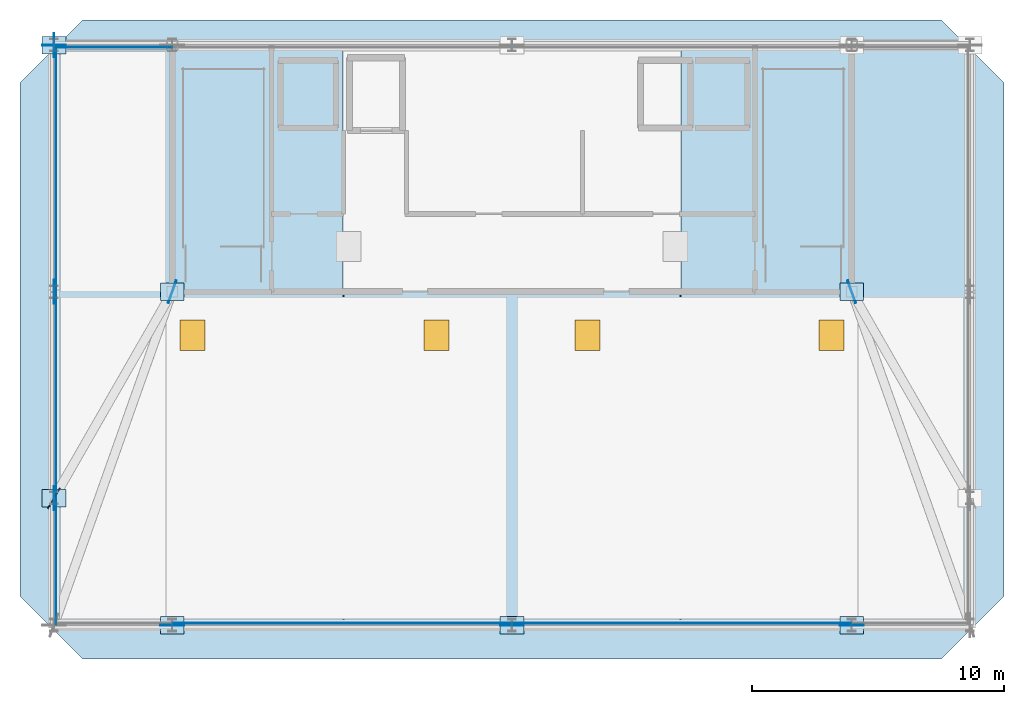
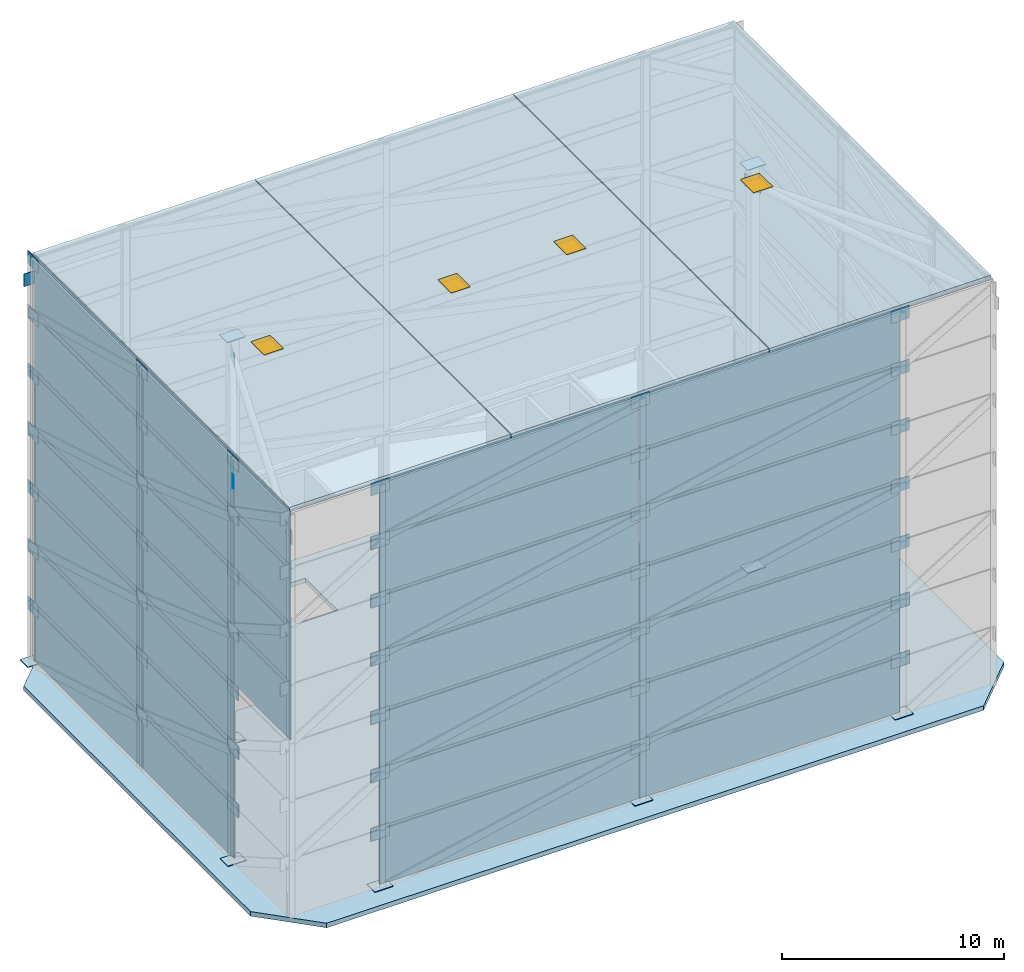
# One storey, part 4 of 8: 92 plates, 4 doors, 4 slabs, 4 openings.
"""IFC4 building model written with IfcOpenShell, lengths in metres."""

from ifc_helpers import new_model, si_unit, direction, frame, origin, origin_2d, place, context, subcontext, project, spatial, polyline, rectangle, outline, extrude, material, layer, layer_set, type_object, element, fill, save


model = new_model("IFC4")

# Units and contexts
model_context = context("Model", 3, precision=1e-05, world=origin(), true_north=direction((0.0, 1.0)))
body_context = subcontext(model_context, "Body", "Model", "MODEL_VIEW")
ifc_project = project(units=[si_unit("LENGTHUNIT", "METRE"), si_unit("AREAUNIT", "SQUARE_METRE"), si_unit("VOLUMEUNIT", "CUBIC_METRE"), si_unit("PLANEANGLEUNIT", "RADIAN"), si_unit("MASSUNIT", "GRAM", prefix="KILO")], contexts=[model_context])

# Site, building, storey
site_placement = place(None, origin())
site = spatial("IfcSite", under=ifc_project, at=site_placement, CompositionType="ELEMENT")
building_placement = place(site_placement, origin())
building = spatial("IfcBuilding", under=site, at=building_placement, Name="Haevon Station Towers", CompositionType="ELEMENT")
storey_placement = place(building_placement, frame((0.0, 0.0, 270.0)))
storey = spatial("IfcBuildingStorey", under=building, at=storey_placement, Name="Roof", CompositionType="ELEMENT", Elevation=270.0)

# Plates
ifc_material_1 = material(Name="Anodised aluminium 6063-T6", Category="aluminium")
ifc_layer_1 = layer(ifc_material_1, 0.028076171875)
ifc_layer_set_1 = layer_set([ifc_layer_1], Name="Anodised aluminium 6063-T6")
plate_type_1 = type_object("IfcPlateType", Name="PL-CRNSCR", PredefinedType="USERDEFINED", material=ifc_layer_set_1)
for number, where, z_axis, x_axis, name in (
    (1, (30.75, 25.030029296875, 0.01025390625), (0.0, 0.0, 1.0), (1.0, 0.0, 0.0), "Crown Perforated Acoustic Screen Plate T1-02"),
    (2, (44.25, 25.030029296875, 0.01025390625), (0.0, 0.0, 1.0), (1.0, 0.0, 0.0), "Crown Perforated Acoustic Screen Plate T1-03"),
):
    element("IfcPlate", number, at=place(storey_placement, frame(where, z_axis=z_axis, x_axis=x_axis)), inside=storey, type_object=plate_type_1, Name=name, ObjectType="FLANGE_PLATE", PredefinedType="USERDEFINED", context=body_context, shape_type="SweptSolid", body=[
        extrude(rectangle(XDim=13.47998046875, YDim=0.028076171875, at=origin_2d()), origin(), (0.0, 0.0, 1.0), 3.179931640625),
    ])
plate_1_placement = place(storey_placement, frame((21.64990234375, 47.919921875, 0.01025390625), z_axis=(0.0, 0.0, 1.0), x_axis=(-1.0, 0.0, 0.0)))
element("IfcPlate", 3, at=plate_1_placement, inside=storey, type_object=plate_type_1, Name="Crown Perforated Acoustic Screen Plate T1-11", ObjectType="FLANGE_PLATE", PredefinedType="USERDEFINED", context=body_context, shape_type="SweptSolid", body=[
    extrude(rectangle(XDim=4.679931640625, YDim=0.028076171875, at=origin_2d()), origin(), (0.0, 0.0, 1.0), 3.179931640625),
])
plate_2_placement = place(storey_placement, frame((19.3798828125, 43.10009765625, 0.01025390625), z_axis=(0.0, 0.0, 1.0), x_axis=(0.0, -1.0, 0.0)))
element("IfcPlate", 4, at=plate_2_placement, inside=storey, type_object=plate_type_1, Name="Crown Perforated Acoustic Screen Plate T1-12", ObjectType="FLANGE_PLATE", PredefinedType="USERDEFINED", context=body_context, shape_type="SweptSolid", body=[
    extrude(rectangle(XDim=9.780029296875, YDim=0.028076171875, at=origin_2d()), origin(), (0.0, 0.0, 1.0), 3.179931640625),
])
plate_3_placement = place(storey_placement, frame((19.3798828125, 34.10009765625, 0.01025390625), z_axis=(0.0, 0.0, 1.0), x_axis=(0.0, -1.0, 0.0)))
element("IfcPlate", 5, at=plate_3_placement, inside=storey, type_object=plate_type_1, Name="Crown Perforated Acoustic Screen Plate T1-13", ObjectType="FLANGE_PLATE", PredefinedType="USERDEFINED", context=body_context, shape_type="SweptSolid", body=[
    extrude(rectangle(XDim=8.179931640625, YDim=0.028076171875, at=origin_2d()), origin(), (0.0, 0.0, 1.0), 3.179931640625),
])
for number, where, z_axis, x_axis, name in (
    (6, (30.75, 25.030029296875, 3.2099609375), (0.0, 0.0, 1.0), (1.0, 0.0, 0.0), "Crown Perforated Acoustic Screen Plate T2-02"),
    (7, (44.25, 25.030029296875, 3.2099609375), (0.0, 0.0, 1.0), (1.0, 0.0, 0.0), "Crown Perforated Acoustic Screen Plate T2-03"),
):
    element("IfcPlate", number, at=place(storey_placement, frame(where, z_axis=z_axis, x_axis=x_axis)), inside=storey, type_object=plate_type_1, Name=name, ObjectType="FLANGE_PLATE", PredefinedType="USERDEFINED", context=body_context, shape_type="SweptSolid", body=[
        extrude(rectangle(XDim=13.47998046875, YDim=0.028076171875, at=origin_2d()), origin(), (0.0, 0.0, 1.0), 3.179931640625),
    ])
plate_4_placement = place(storey_placement, frame((21.64990234375, 47.919921875, 3.2099609375), z_axis=(0.0, 0.0, 1.0), x_axis=(-1.0, 0.0, 0.0)))
element("IfcPlate", 8, at=plate_4_placement, inside=storey, type_object=plate_type_1, Name="Crown Perforated Acoustic Screen Plate T2-11", ObjectType="FLANGE_PLATE", PredefinedType="USERDEFINED", context=body_context, shape_type="SweptSolid", body=[
    extrude(rectangle(XDim=4.679931640625, YDim=0.028076171875, at=origin_2d()), origin(), (0.0, 0.0, 1.0), 3.179931640625),
])
plate_5_placement = place(storey_placement, frame((19.3798828125, 43.10009765625, 3.2099609375), z_axis=(0.0, 0.0, 1.0), x_axis=(0.0, -1.0, 0.0)))
element("IfcPlate", 9, at=plate_5_placement, inside=storey, type_object=plate_type_1, Name="Crown Perforated Acoustic Screen Plate T2-12", ObjectType="FLANGE_PLATE", PredefinedType="USERDEFINED", context=body_context, shape_type="SweptSolid", body=[
    extrude(rectangle(XDim=9.780029296875, YDim=0.028076171875, at=origin_2d()), origin(), (0.0, 0.0, 1.0), 3.179931640625),
])
plate_6_placement = place(storey_placement, frame((19.3798828125, 34.10009765625, 3.2099609375), z_axis=(0.0, 0.0, 1.0), x_axis=(0.0, -1.0, 0.0)))
element("IfcPlate", 10, at=plate_6_placement, inside=storey, type_object=plate_type_1, Name="Crown Perforated Acoustic Screen Plate T2-13", ObjectType="FLANGE_PLATE", PredefinedType="USERDEFINED", context=body_context, shape_type="SweptSolid", body=[
    extrude(rectangle(XDim=8.179931640625, YDim=0.028076171875, at=origin_2d()), origin(), (0.0, 0.0, 1.0), 3.179931640625),
])
for number, where, z_axis, x_axis, name in (
    (11, (30.75, 25.030029296875, 6.41015625), (0.0, 0.0, 1.0), (1.0, 0.0, 0.0), "Crown Perforated Acoustic Screen Plate T3-02"),
    (12, (44.25, 25.030029296875, 6.41015625), (0.0, 0.0, 1.0), (1.0, 0.0, 0.0), "Crown Perforated Acoustic Screen Plate T3-03"),
):
    element("IfcPlate", number, at=place(storey_placement, frame(where, z_axis=z_axis, x_axis=x_axis)), inside=storey, type_object=plate_type_1, Name=name, ObjectType="FLANGE_PLATE", PredefinedType="USERDEFINED", context=body_context, shape_type="SweptSolid", body=[
        extrude(rectangle(XDim=13.47998046875, YDim=0.028076171875, at=origin_2d()), origin(), (0.0, 0.0, 1.0), 3.179931640625),
    ])
plate_7_placement = place(storey_placement, frame((21.64990234375, 47.919921875, 6.41015625), z_axis=(0.0, 0.0, 1.0), x_axis=(-1.0, 0.0, 0.0)))
element("IfcPlate", 13, at=plate_7_placement, inside=storey, type_object=plate_type_1, Name="Crown Perforated Acoustic Screen Plate T3-11", ObjectType="FLANGE_PLATE", PredefinedType="USERDEFINED", context=body_context, shape_type="SweptSolid", body=[
    extrude(rectangle(XDim=4.679931640625, YDim=0.028076171875, at=origin_2d()), origin(), (0.0, 0.0, 1.0), 3.179931640625),
])
plate_8_placement = place(storey_placement, frame((19.3798828125, 43.10009765625, 6.41015625), z_axis=(0.0, 0.0, 1.0), x_axis=(0.0, -1.0, 0.0)))
element("IfcPlate", 14, at=plate_8_placement, inside=storey, type_object=plate_type_1, Name="Crown Perforated Acoustic Screen Plate T3-12", ObjectType="FLANGE_PLATE", PredefinedType="USERDEFINED", context=body_context, shape_type="SweptSolid", body=[
    extrude(rectangle(XDim=9.780029296875, YDim=0.028076171875, at=origin_2d()), origin(), (0.0, 0.0, 1.0), 3.179931640625),
])
plate_9_placement = place(storey_placement, frame((19.3798828125, 34.10009765625, 6.41015625), z_axis=(0.0, 0.0, 1.0), x_axis=(0.0, -1.0, 0.0)))
element("IfcPlate", 15, at=plate_9_placement, inside=storey, type_object=plate_type_1, Name="Crown Perforated Acoustic Screen Plate T3-13", ObjectType="FLANGE_PLATE", PredefinedType="USERDEFINED", context=body_context, shape_type="SweptSolid", body=[
    extrude(rectangle(XDim=8.179931640625, YDim=0.028076171875, at=origin_2d()), origin(), (0.0, 0.0, 1.0), 3.179931640625),
])
for number, where, z_axis, x_axis, name in (
    (16, (30.75, 25.030029296875, 9.60986328125), (0.0, 0.0, 1.0), (1.0, 0.0, 0.0), "Crown Perforated Acoustic Screen Plate T4-02"),
    (17, (44.25, 25.030029296875, 9.60986328125), (0.0, 0.0, 1.0), (1.0, 0.0, 0.0), "Crown Perforated Acoustic Screen Plate T4-03"),
):
    element("IfcPlate", number, at=place(storey_placement, frame(where, z_axis=z_axis, x_axis=x_axis)), inside=storey, type_object=plate_type_1, Name=name, ObjectType="FLANGE_PLATE", PredefinedType="USERDEFINED", context=body_context, shape_type="SweptSolid", body=[
        extrude(rectangle(XDim=13.47998046875, YDim=0.028076171875, at=origin_2d()), origin(), (0.0, 0.0, 1.0), 3.179931640625),
    ])
plate_10_placement = place(storey_placement, frame((21.64990234375, 47.919921875, 9.60986328125), z_axis=(0.0, 0.0, 1.0), x_axis=(-1.0, 0.0, 0.0)))
element("IfcPlate", 18, at=plate_10_placement, inside=storey, type_object=plate_type_1, Name="Crown Perforated Acoustic Screen Plate T4-11", ObjectType="FLANGE_PLATE", PredefinedType="USERDEFINED", context=body_context, shape_type="SweptSolid", body=[
    extrude(rectangle(XDim=4.679931640625, YDim=0.028076171875, at=origin_2d()), origin(), (0.0, 0.0, 1.0), 3.179931640625),
])
plate_11_placement = place(storey_placement, frame((19.3798828125, 43.10009765625, 9.60986328125), z_axis=(0.0, 0.0, 1.0), x_axis=(0.0, -1.0, 0.0)))
element("IfcPlate", 19, at=plate_11_placement, inside=storey, type_object=plate_type_1, Name="Crown Perforated Acoustic Screen Plate T4-12", ObjectType="FLANGE_PLATE", PredefinedType="USERDEFINED", context=body_context, shape_type="SweptSolid", body=[
    extrude(rectangle(XDim=9.780029296875, YDim=0.028076171875, at=origin_2d()), origin(), (0.0, 0.0, 1.0), 3.179931640625),
])
plate_12_placement = place(storey_placement, frame((19.3798828125, 34.10009765625, 9.60986328125), z_axis=(0.0, 0.0, 1.0), x_axis=(0.0, -1.0, 0.0)))
element("IfcPlate", 20, at=plate_12_placement, inside=storey, type_object=plate_type_1, Name="Crown Perforated Acoustic Screen Plate T4-13", ObjectType="FLANGE_PLATE", PredefinedType="USERDEFINED", context=body_context, shape_type="SweptSolid", body=[
    extrude(rectangle(XDim=8.179931640625, YDim=0.028076171875, at=origin_2d()), origin(), (0.0, 0.0, 1.0), 3.179931640625),
])
plate_13_placement = place(storey_placement, frame((19.3798828125, 27.47509765625, 9.60986328125), z_axis=(0.0, 0.0, 1.0), x_axis=(0.0, -1.0, 0.0)))
element("IfcPlate", 21, at=plate_13_placement, inside=storey, type_object=plate_type_1, Name="Crown Perforated Acoustic Screen Plate T4-14", ObjectType="FLANGE_PLATE", PredefinedType="USERDEFINED", context=body_context, shape_type="SweptSolid", body=[
    extrude(rectangle(XDim=5.030029296875, YDim=0.028076171875, at=origin_2d()), origin(), (0.0, 0.0, 1.0), 3.179931640625),
])
for number, where, z_axis, x_axis, name in (
    (22, (30.75, 25.030029296875, 12.81005859375), (0.0, 0.0, 1.0), (1.0, 0.0, 0.0), "Crown Perforated Acoustic Screen Plate T5-02"),
    (23, (44.25, 25.030029296875, 12.81005859375), (0.0, 0.0, 1.0), (1.0, 0.0, 0.0), "Crown Perforated Acoustic Screen Plate T5-03"),
):
    element("IfcPlate", number, at=place(storey_placement, frame(where, z_axis=z_axis, x_axis=x_axis)), inside=storey, type_object=plate_type_1, Name=name, ObjectType="FLANGE_PLATE", PredefinedType="USERDEFINED", context=body_context, shape_type="SweptSolid", body=[
        extrude(rectangle(XDim=13.47998046875, YDim=0.028076171875, at=origin_2d()), origin(), (0.0, 0.0, 1.0), 3.179931640625),
    ])
plate_14_placement = place(storey_placement, frame((21.64990234375, 47.919921875, 12.81005859375), z_axis=(0.0, 0.0, 1.0), x_axis=(-1.0, 0.0, 0.0)))
element("IfcPlate", 24, at=plate_14_placement, inside=storey, type_object=plate_type_1, Name="Crown Perforated Acoustic Screen Plate T5-11", ObjectType="FLANGE_PLATE", PredefinedType="USERDEFINED", context=body_context, shape_type="SweptSolid", body=[
    extrude(rectangle(XDim=4.679931640625, YDim=0.028076171875, at=origin_2d()), origin(), (0.0, 0.0, 1.0), 3.179931640625),
])
plate_15_placement = place(storey_placement, frame((19.3798828125, 43.10009765625, 12.81005859375), z_axis=(0.0, 0.0, 1.0), x_axis=(0.0, -1.0, 0.0)))
element("IfcPlate", 25, at=plate_15_placement, inside=storey, type_object=plate_type_1, Name="Crown Perforated Acoustic Screen Plate T5-12", ObjectType="FLANGE_PLATE", PredefinedType="USERDEFINED", context=body_context, shape_type="SweptSolid", body=[
    extrude(rectangle(XDim=9.780029296875, YDim=0.028076171875, at=origin_2d()), origin(), (0.0, 0.0, 1.0), 3.179931640625),
])
plate_16_placement = place(storey_placement, frame((19.3798828125, 34.10009765625, 12.81005859375), z_axis=(0.0, 0.0, 1.0), x_axis=(0.0, -1.0, 0.0)))
element("IfcPlate", 26, at=plate_16_placement, inside=storey, type_object=plate_type_1, Name="Crown Perforated Acoustic Screen Plate T5-13", ObjectType="FLANGE_PLATE", PredefinedType="USERDEFINED", context=body_context, shape_type="SweptSolid", body=[
    extrude(rectangle(XDim=8.179931640625, YDim=0.028076171875, at=origin_2d()), origin(), (0.0, 0.0, 1.0), 3.179931640625),
])
plate_17_placement = place(storey_placement, frame((19.3798828125, 27.47509765625, 12.81005859375), z_axis=(0.0, 0.0, 1.0), x_axis=(0.0, -1.0, 0.0)))
element("IfcPlate", 27, at=plate_17_placement, inside=storey, type_object=plate_type_1, Name="Crown Perforated Acoustic Screen Plate T5-14", ObjectType="FLANGE_PLATE", PredefinedType="USERDEFINED", context=body_context, shape_type="SweptSolid", body=[
    extrude(rectangle(XDim=5.030029296875, YDim=0.028076171875, at=origin_2d()), origin(), (0.0, 0.0, 1.0), 3.179931640625),
])
for number, where, z_axis, x_axis, name in (
    (28, (30.75, 25.030029296875, 16.01025390625), (0.0, 0.0, 1.0), (1.0, 0.0, 0.0), "Crown Perforated Acoustic Screen Plate T6-02"),
    (29, (44.25, 25.030029296875, 16.01025390625), (0.0, 0.0, 1.0), (1.0, 0.0, 0.0), "Crown Perforated Acoustic Screen Plate T6-03"),
):
    element("IfcPlate", number, at=place(storey_placement, frame(where, z_axis=z_axis, x_axis=x_axis)), inside=storey, type_object=plate_type_1, Name=name, ObjectType="FLANGE_PLATE", PredefinedType="USERDEFINED", context=body_context, shape_type="SweptSolid", body=[
        extrude(rectangle(XDim=13.47998046875, YDim=0.028076171875, at=origin_2d()), origin(), (0.0, 0.0, 1.0), 3.179931640625),
    ])
plate_18_placement = place(storey_placement, frame((19.3798828125, 43.10009765625, 16.01025390625), z_axis=(0.0, 0.0, 1.0), x_axis=(0.0, -1.0, 0.0)))
element("IfcPlate", 30, at=plate_18_placement, inside=storey, type_object=plate_type_1, Name="Crown Perforated Acoustic Screen Plate T6-12", ObjectType="FLANGE_PLATE", PredefinedType="USERDEFINED", context=body_context, shape_type="SweptSolid", body=[
    extrude(rectangle(XDim=9.780029296875, YDim=0.028076171875, at=origin_2d()), origin(), (0.0, 0.0, 1.0), 3.179931640625),
])
plate_19_placement = place(storey_placement, frame((19.3798828125, 34.10009765625, 16.01025390625), z_axis=(0.0, 0.0, 1.0), x_axis=(0.0, -1.0, 0.0)))
element("IfcPlate", 31, at=plate_19_placement, inside=storey, type_object=plate_type_1, Name="Crown Perforated Acoustic Screen Plate T6-13", ObjectType="FLANGE_PLATE", PredefinedType="USERDEFINED", context=body_context, shape_type="SweptSolid", body=[
    extrude(rectangle(XDim=8.179931640625, YDim=0.028076171875, at=origin_2d()), origin(), (0.0, 0.0, 1.0), 3.179931640625),
])
plate_20_placement = place(storey_placement, frame((19.3798828125, 27.47509765625, 16.01025390625), z_axis=(0.0, 0.0, 1.0), x_axis=(0.0, -1.0, 0.0)))
element("IfcPlate", 32, at=plate_20_placement, inside=storey, type_object=plate_type_1, Name="Crown Perforated Acoustic Screen Plate T6-14", ObjectType="FLANGE_PLATE", PredefinedType="USERDEFINED", context=body_context, shape_type="SweptSolid", body=[
    extrude(rectangle(XDim=5.030029296875, YDim=0.028076171875, at=origin_2d()), origin(), (0.0, 0.0, 1.0), 3.179931640625),
])
for number, where, z_axis, x_axis, name in (
    (33, (30.75, 25.030029296875, 19.2099609375), (0.0, 0.0, 1.0), (1.0, 0.0, 0.0), "Crown Perforated Acoustic Screen Plate T7-02"),
    (34, (44.25, 25.030029296875, 19.2099609375), (0.0, 0.0, 1.0), (1.0, 0.0, 0.0), "Crown Perforated Acoustic Screen Plate T7-03"),
):
    element("IfcPlate", number, at=place(storey_placement, frame(where, z_axis=z_axis, x_axis=x_axis)), inside=storey, type_object=plate_type_1, Name=name, ObjectType="FLANGE_PLATE", PredefinedType="USERDEFINED", context=body_context, shape_type="SweptSolid", body=[
        extrude(rectangle(XDim=13.47998046875, YDim=0.028076171875, at=origin_2d()), origin(), (0.0, 0.0, 1.0), 2.97998046875),
    ])
plate_21_placement = place(storey_placement, frame((19.3798828125, 43.10009765625, 19.2099609375), z_axis=(0.0, 0.0, 1.0), x_axis=(0.0, -1.0, 0.0)))
element("IfcPlate", 35, at=plate_21_placement, inside=storey, type_object=plate_type_1, Name="Crown Perforated Acoustic Screen Plate T7-12", ObjectType="FLANGE_PLATE", PredefinedType="USERDEFINED", context=body_context, shape_type="SweptSolid", body=[
    extrude(rectangle(XDim=9.780029296875, YDim=0.028076171875, at=origin_2d()), origin(), (0.0, 0.0, 1.0), 2.97998046875),
])
plate_22_placement = place(storey_placement, frame((19.3798828125, 34.10009765625, 19.2099609375), z_axis=(0.0, 0.0, 1.0), x_axis=(0.0, -1.0, 0.0)))
element("IfcPlate", 36, at=plate_22_placement, inside=storey, type_object=plate_type_1, Name="Crown Perforated Acoustic Screen Plate T7-13", ObjectType="FLANGE_PLATE", PredefinedType="USERDEFINED", context=body_context, shape_type="SweptSolid", body=[
    extrude(rectangle(XDim=8.179931640625, YDim=0.028076171875, at=origin_2d()), origin(), (0.0, 0.0, 1.0), 2.97998046875),
])
plate_23_placement = place(storey_placement, frame((19.3798828125, 27.47509765625, 19.2099609375), z_axis=(0.0, 0.0, 1.0), x_axis=(0.0, -1.0, 0.0)))
element("IfcPlate", 37, at=plate_23_placement, inside=storey, type_object=plate_type_1, Name="Crown Perforated Acoustic Screen Plate T7-14", ObjectType="FLANGE_PLATE", PredefinedType="USERDEFINED", context=body_context, shape_type="SweptSolid", body=[
    extrude(rectangle(XDim=5.030029296875, YDim=0.028076171875, at=origin_2d()), origin(), (0.0, 0.0, 1.0), 2.97998046875),
])
ifc_material_2 = material(Name="PL-FLG2", Category="steel")
ifc_layer_2 = layer(ifc_material_2, 0.035888671875)
ifc_layer_set_2 = layer_set([ifc_layer_2], Name="PL-FLG2")
plate_type_2 = type_object("IfcPlateType", Name="PL-FLG2", PredefinedType="USERDEFINED", material=ifc_layer_set_2)
for number, where, z_axis, x_axis, name in (
    (38, (24.0, 24.949951171875, 0.0), (0.0, 0.0, 1.0), (1.0, 0.0, 0.0), "CROWN FRAME Base Plate 02"),
    (39, (37.5, 24.949951171875, 0.0), (0.0, 0.0, 1.0), (1.0, 0.0, 0.0), "CROWN FRAME Base Plate 03"),
    (40, (51.0, 24.949951171875, 0.0), (0.0, 0.0, 1.0), (1.0, 0.0, 0.0), "CROWN FRAME Base Plate 04"),
    (41, (19.300048828125, 48.0, 0.0), (0.0, 0.0, 1.0), (1.0, 0.0, 0.0), "CROWN FRAME Base Plate 12"),
    (42, (19.300048828125, 30.0, 0.0), (0.0, 0.0, 1.0), (1.0, 0.0, 0.0), "CROWN FRAME Base Plate 14"),
):
    element("IfcPlate", number, at=place(storey_placement, frame(where, z_axis=z_axis, x_axis=x_axis)), inside=storey, type_object=plate_type_2, Name=name, ObjectType="FLANGE_PLATE", PredefinedType="USERDEFINED", context=body_context, shape_type="SweptSolid", body=[
        extrude(rectangle(XDim=0.949951171875, YDim=0.699951171875, at=origin_2d()), origin(), (0.0, 0.0, 1.0), 0.035888671875),
    ])
for number, where, z_axis, x_axis, name in (
    (43, (24.0, 24.949951171875, 2.60009765625), (0.0, 0.0, 1.0), (1.0, 0.0, 0.0), "PL-CRN-NODE-T1-02"),
    (44, (37.5, 24.949951171875, 2.60009765625), (0.0, 0.0, 1.0), (1.0, 0.0, 0.0), "PL-CRN-NODE-T1-03"),
    (45, (51.0, 24.949951171875, 2.60009765625), (0.0, 0.0, 1.0), (1.0, 0.0, 0.0), "PL-CRN-NODE-T1-04"),
    (46, (19.300048828125, 48.0, 2.60009765625), (0.0, 0.0, 1.0), (0.0, -1.0, 0.0), "PL-CRN-NODE-T1-12"),
    (47, (19.300048828125, 38.199951171875, 2.60009765625), (0.0, 0.0, 1.0), (0.0, -1.0, 0.0), "PL-CRN-NODE-T1-13"),
    (48, (19.300048828125, 30.0, 2.60009765625), (0.0, 0.0, 1.0), (0.0, -1.0, 0.0), "PL-CRN-NODE-T1-14"),
    (49, (24.0, 24.949951171875, 5.7998046875), (0.0, 0.0, 1.0), (1.0, 0.0, 0.0), "PL-CRN-NODE-T2-02"),
    (50, (37.5, 24.949951171875, 5.7998046875), (0.0, 0.0, 1.0), (1.0, 0.0, 0.0), "PL-CRN-NODE-T2-03"),
    (51, (51.0, 24.949951171875, 5.7998046875), (0.0, 0.0, 1.0), (1.0, 0.0, 0.0), "PL-CRN-NODE-T2-04"),
    (52, (19.300048828125, 48.0, 5.7998046875), (0.0, 0.0, 1.0), (0.0, -1.0, 0.0), "PL-CRN-NODE-T2-12"),
    (53, (19.300048828125, 38.199951171875, 5.7998046875), (0.0, 0.0, 1.0), (0.0, -1.0, 0.0), "PL-CRN-NODE-T2-13"),
    (54, (19.300048828125, 30.0, 5.7998046875), (0.0, 0.0, 1.0), (0.0, -1.0, 0.0), "PL-CRN-NODE-T2-14"),
    (55, (24.0, 24.949951171875, 9.0), (0.0, 0.0, 1.0), (1.0, 0.0, 0.0), "PL-CRN-NODE-T3-02"),
    (56, (37.5, 24.949951171875, 9.0), (0.0, 0.0, 1.0), (1.0, 0.0, 0.0), "PL-CRN-NODE-T3-03"),
    (57, (51.0, 24.949951171875, 9.0), (0.0, 0.0, 1.0), (1.0, 0.0, 0.0), "PL-CRN-NODE-T3-04"),
    (58, (19.300048828125, 48.0, 9.0), (0.0, 0.0, 1.0), (0.0, -1.0, 0.0), "PL-CRN-NODE-T3-12"),
    (59, (19.300048828125, 38.199951171875, 9.0), (0.0, 0.0, 1.0), (0.0, -1.0, 0.0), "PL-CRN-NODE-T3-13"),
    (60, (19.300048828125, 30.0, 9.0), (0.0, 0.0, 1.0), (0.0, -1.0, 0.0), "PL-CRN-NODE-T3-14"),
    (61, (24.0, 24.949951171875, 12.2001953125), (0.0, 0.0, 1.0), (1.0, 0.0, 0.0), "PL-CRN-NODE-T4-02"),
    (62, (37.5, 24.949951171875, 12.2001953125), (0.0, 0.0, 1.0), (1.0, 0.0, 0.0), "PL-CRN-NODE-T4-03"),
    (63, (51.0, 24.949951171875, 12.2001953125), (0.0, 0.0, 1.0), (1.0, 0.0, 0.0), "PL-CRN-NODE-T4-04"),
    (64, (19.300048828125, 48.0, 12.2001953125), (0.0, 0.0, 1.0), (0.0, -1.0, 0.0), "PL-CRN-NODE-T4-12"),
    (65, (19.300048828125, 38.199951171875, 12.2001953125), (0.0, 0.0, 1.0), (0.0, -1.0, 0.0), "PL-CRN-NODE-T4-13"),
    (66, (19.300048828125, 30.0, 12.2001953125), (0.0, 0.0, 1.0), (0.0, -1.0, 0.0), "PL-CRN-NODE-T4-14"),
    (67, (24.0, 24.949951171875, 15.39990234375), (0.0, 0.0, 1.0), (1.0, 0.0, 0.0), "PL-CRN-NODE-T5-02"),
    (68, (37.5, 24.949951171875, 15.39990234375), (0.0, 0.0, 1.0), (1.0, 0.0, 0.0), "PL-CRN-NODE-T5-03"),
    (69, (51.0, 24.949951171875, 15.39990234375), (0.0, 0.0, 1.0), (1.0, 0.0, 0.0), "PL-CRN-NODE-T5-04"),
    (70, (19.300048828125, 48.0, 15.39990234375), (0.0, 0.0, 1.0), (0.0, -1.0, 0.0), "PL-CRN-NODE-T5-12"),
    (71, (19.300048828125, 38.199951171875, 15.39990234375), (0.0, 0.0, 1.0), (0.0, -1.0, 0.0), "PL-CRN-NODE-T5-13"),
    (72, (19.300048828125, 30.0, 15.39990234375), (0.0, 0.0, 1.0), (0.0, -1.0, 0.0), "PL-CRN-NODE-T5-14"),
    (73, (24.0, 24.949951171875, 18.60009765625), (0.0, 0.0, 1.0), (1.0, 0.0, 0.0), "PL-CRN-NODE-T6-02"),
    (74, (37.5, 24.949951171875, 18.60009765625), (0.0, 0.0, 1.0), (1.0, 0.0, 0.0), "PL-CRN-NODE-T6-03"),
    (75, (51.0, 24.949951171875, 18.60009765625), (0.0, 0.0, 1.0), (1.0, 0.0, 0.0), "PL-CRN-NODE-T6-04"),
    (76, (19.300048828125, 48.0, 18.60009765625), (0.0, 0.0, 1.0), (0.0, -1.0, 0.0), "PL-CRN-NODE-T6-12"),
    (77, (19.300048828125, 38.199951171875, 18.60009765625), (0.0, 0.0, 1.0), (0.0, -1.0, 0.0), "PL-CRN-NODE-T6-13"),
    (78, (19.300048828125, 30.0, 18.60009765625), (0.0, 0.0, 1.0), (0.0, -1.0, 0.0), "PL-CRN-NODE-T6-14"),
    (79, (24.0, 24.949951171875, 21.5498046875), (0.0, 0.0, 1.0), (1.0, 0.0, 0.0), "PL-CRN-NODE-T7-02"),
    (80, (37.5, 24.949951171875, 21.5498046875), (0.0, 0.0, 1.0), (1.0, 0.0, 0.0), "PL-CRN-NODE-T7-03"),
    (81, (51.0, 24.949951171875, 21.5498046875), (0.0, 0.0, 1.0), (1.0, 0.0, 0.0), "PL-CRN-NODE-T7-04"),
    (82, (19.300048828125, 48.0, 21.5498046875), (0.0, 0.0, 1.0), (0.0, -1.0, 0.0), "PL-CRN-NODE-T7-12"),
    (83, (19.300048828125, 38.199951171875, 21.5498046875), (0.0, 0.0, 1.0), (0.0, -1.0, 0.0), "PL-CRN-NODE-T7-13"),
    (84, (19.300048828125, 30.0, 21.5498046875), (0.0, 0.0, 1.0), (0.0, -1.0, 0.0), "PL-CRN-NODE-T7-14"),
):
    element("IfcPlate", number, at=place(storey_placement, frame(where, z_axis=z_axis, x_axis=x_axis)), inside=storey, type_object=plate_type_2, Name=name, ObjectType="FLANGE_PLATE", PredefinedType="USERDEFINED", context=body_context, shape_type="SweptSolid", body=[
        extrude(rectangle(XDim=0.949951171875, YDim=0.035888671875, at=origin_2d()), origin(), (0.0, 0.0, 1.0), 0.699951171875),
    ])
for number, where, z_axis, x_axis, name in (
    (85, (24.0, 38.199951171875, 0.0), (0.0, 0.0, 1.0), (1.0, 0.0, 0.0), "PL-CRN-PLTB-1"),
    (86, (24.0, 38.199951171875, 22.1142578125), (0.0, 0.0, 1.0), (1.0, 0.0, 0.0), "PL-CRN-PLTT-1"),
    (87, (51.0, 38.199951171875, 0.0), (0.0, 0.0, 1.0), (1.0, 0.0, 0.0), "PL-CRN-PLTB-2"),
    (88, (51.0, 38.199951171875, 22.1142578125), (0.0, 0.0, 1.0), (1.0, 0.0, 0.0), "PL-CRN-PLTT-2"),
):
    element("IfcPlate", number, at=place(storey_placement, frame(where, z_axis=z_axis, x_axis=x_axis)), inside=storey, type_object=plate_type_2, Name=name, ObjectType="FLANGE_PLATE", PredefinedType="USERDEFINED", context=body_context, shape_type="SweptSolid", body=[
        extrude(rectangle(XDim=0.949951171875, YDim=0.699951171875, at=origin_2d()), origin(), (0.0, 0.0, 1.0), 0.035888671875),
    ])
for number, where, z_axis, x_axis, name in (
    (89, (24.0, 38.199951171875, 20.7001953125), (0.0, 0.0, 1.0), (0.334308603944, 0.942463663665, 0.0), "PL-CRN-ST-1-E2"),
    (90, (51.0, 38.199951171875, 20.7001953125), (0.0, 0.0, 1.0), (-0.334308603944, 0.942463663665, 0.0), "PL-CRN-ST-2-E2"),
    (91, (19.300048828125, 48.0, 20.7001953125), (0.0, 0.0, 1.0), (1.0, 0.0, 0.0), "PL-CRN-ST-4-E1"),
    (92, (19.300048828125, 30.0, 20.7001953125), (0.0, 0.0, 1.0), (0.497278352263, 0.867591055954, 0.0), "PL-CRN-ST-5-E1"),
):
    element("IfcPlate", number, at=place(storey_placement, frame(where, z_axis=z_axis, x_axis=x_axis)), inside=storey, type_object=plate_type_2, Name=name, ObjectType="FLANGE_PLATE", PredefinedType="USERDEFINED", context=body_context, shape_type="SweptSolid", body=[
        extrude(rectangle(XDim=0.949951171875, YDim=0.035888671875, at=origin_2d()), origin(), (0.0, 0.0, 1.0), 0.699951171875),
    ])

# Slab
ifc_material_3 = material(Name="Concrete C40/50", Category="concrete")
ifc_layer_3 = layer(ifc_material_3, 0.25)
ifc_layer_set_3 = layer_set([ifc_layer_3], Name="Concrete C40/50")
slab_type_1 = type_object("IfcSlabType", Name="SL-ROOF250", PredefinedType="ROOF", material=ifc_layer_set_3)
slab_1_placement = place(storey_placement, frame((0.0, 0.0, -0.25)))
element("IfcSlab", 93, at=slab_1_placement, inside=storey, type_object=slab_type_1, Name="Tower 1 Main Roof Deck Slab", PredefinedType="ROOF", context=body_context, shape_type="SweptSolid", body=[
    extrude(outline(polyline([(20.449951171875, 23.60009765625), (54.550048828125, 23.60009765625), (57.050048828125, 26.10009765625), (57.050048828125, 46.5), (54.550048828125, 49.0), (20.449951171875, 49.0), (17.949951171875, 46.5), (17.949951171875, 26.10009765625), (20.449951171875, 23.60009765625)]), holes=[polyline([(27.580078125, 40.055908203125), (27.580078125, 47.0), (24.47998046875, 47.0), (24.47998046875, 40.055908203125), (27.580078125, 40.055908203125)]), polyline([(50.6201171875, 40.055908203125), (50.6201171875, 47.0), (47.52001953125, 47.0), (47.52001953125, 40.055908203125), (50.6201171875, 40.055908203125)]), polyline([(28.300048828125, 44.699951171875), (30.5, 44.699951171875), (30.5, 47.39990234375), (28.300048828125, 47.39990234375), (28.300048828125, 44.699951171875)]), polyline([(31.050048828125, 44.60009765625), (33.14990234375, 44.60009765625), (33.14990234375, 47.5), (31.050048828125, 47.5), (31.050048828125, 44.60009765625)]), polyline([(42.60009765625, 44.699951171875), (44.60009765625, 44.699951171875), (44.60009765625, 47.39990234375), (42.60009765625, 47.39990234375), (42.60009765625, 44.699951171875)]), polyline([(44.85009765625, 44.699951171875), (46.85009765625, 44.699951171875), (46.85009765625, 47.39990234375), (44.85009765625, 47.39990234375), (44.85009765625, 44.699951171875)])]), origin(), (0.0, 0.0, 1.0), 0.25),
])

# Slab, opening, door
ifc_layer_4 = layer(ifc_material_3, 0.25)
ifc_layer_set_4 = layer_set([ifc_layer_4], Name="Concrete C40/50")
slab_type_2 = type_object("IfcSlabType", Name="SL-TW250", PredefinedType="FLOOR", material=ifc_layer_set_4)
slab_2_placement = place(storey_placement, frame((0.0, 0.0, 22.14990234375)))
slab_2 = element("IfcSlab", 94, at=slab_2_placement, inside=storey, type_object=slab_type_2, Name="CROWN FRAME Top Cap Slab West", PredefinedType="FLOOR", context=body_context, shape_type="SweptSolid", body=[
    extrude(outline(polyline([(19.300048828125, 24.949951171875), (30.780029296875, 24.949951171875), (30.780029296875, 48.0), (19.300048828125, 48.0), (19.300048828125, 24.949951171875)])), origin(), (0.0, 0.0, 1.0), 0.25),
])
opening_1_placement = place(slab_2_placement, frame((24.800048828125, 36.47509765625, -0.010009765625)))
opening_1 = element("IfcOpeningElement", 95, at=opening_1_placement, cuts=slab_2, Name="Opening DR-HATCH-RF-03", PredefinedType="OPENING", context=body_context, shape_type="SweptSolid", body=[
    extrude(rectangle(XDim=1.0, YDim=1.199951171875, at=origin_2d()), origin(), (0.0, 0.0, 1.0), 0.27001953125),
])
ifc_material_4 = material(Name="Thermally broken anodised aluminium and laminated safety glass", Category="aluminium")
door_type = type_object("IfcDoorType", Name="DR-HATCH-1000", OperationType="SINGLE_SWING_LEFT", PredefinedType="TRAPDOOR", material=ifc_material_4)
door_1_placement = place(slab_2_placement, frame((24.800048828125, 36.47509765625, 0.199951171875)))
door_1 = element("IfcDoor", 96, at=door_1_placement, inside=storey, type_object=door_type, Name="Roof Maintenance Access Hatch 03", OperationType="SINGLE_SWING_LEFT", OverallHeight=1.199951171875, OverallWidth=1.0, PredefinedType="TRAPDOOR", context=body_context, shape_type="SweptSolid", body=[
    extrude(rectangle(XDim=1.0, YDim=1.199951171875, at=origin_2d()), origin(), (0.0, 0.0, 1.0), 0.050048828125),
])
fill(opening_1, door_1)

# Slab, openings, doors
slab_3_placement = place(storey_placement, frame((0.0, 0.0, 22.14990234375)))
slab_3 = element("IfcSlab", 97, at=slab_3_placement, inside=storey, type_object=slab_type_2, Name="CROWN FRAME Top Cap Slab Centre", PredefinedType="FLOOR", context=body_context, shape_type="SweptSolid", body=[
    extrude(outline(polyline([(30.820068359375, 24.949951171875), (44.179931640625, 24.949951171875), (44.179931640625, 48.0), (30.820068359375, 48.0), (30.820068359375, 24.949951171875)])), origin(), (0.0, 0.0, 1.0), 0.25),
])
opening_2_placement = place(slab_3_placement, frame((34.5, 36.47509765625, -0.010009765625)))
opening_2 = element("IfcOpeningElement", 98, at=opening_2_placement, cuts=slab_3, Name="Opening DR-HATCH-RF-04", PredefinedType="OPENING", context=body_context, shape_type="SweptSolid", body=[
    extrude(rectangle(XDim=1.0, YDim=1.199951171875, at=origin_2d()), origin(), (0.0, 0.0, 1.0), 0.27001953125),
])
opening_3_placement = place(slab_3_placement, frame((40.5, 36.47509765625, -0.010009765625)))
opening_3 = element("IfcOpeningElement", 99, at=opening_3_placement, cuts=slab_3, Name="Opening DR-HATCH-RF-05", PredefinedType="OPENING", context=body_context, shape_type="SweptSolid", body=[
    extrude(rectangle(XDim=1.0, YDim=1.199951171875, at=origin_2d()), origin(), (0.0, 0.0, 1.0), 0.27001953125),
])
door_2_placement = place(slab_3_placement, frame((34.5, 36.47509765625, 0.199951171875)))
door_2 = element("IfcDoor", 100, at=door_2_placement, inside=storey, type_object=door_type, Name="Roof Maintenance Access Hatch 04", OperationType="SINGLE_SWING_LEFT", OverallHeight=1.199951171875, OverallWidth=1.0, PredefinedType="TRAPDOOR", context=body_context, shape_type="SweptSolid", body=[
    extrude(rectangle(XDim=1.0, YDim=1.199951171875, at=origin_2d()), origin(), (0.0, 0.0, 1.0), 0.050048828125),
])
fill(opening_2, door_2)
door_3_placement = place(slab_3_placement, frame((40.5, 36.47509765625, 0.199951171875)))
door_3 = element("IfcDoor", 101, at=door_3_placement, inside=storey, type_object=door_type, Name="Roof Maintenance Access Hatch 05", OperationType="SINGLE_SWING_LEFT", OverallHeight=1.199951171875, OverallWidth=1.0, PredefinedType="TRAPDOOR", context=body_context, shape_type="SweptSolid", body=[
    extrude(rectangle(XDim=1.0, YDim=1.199951171875, at=origin_2d()), origin(), (0.0, 0.0, 1.0), 0.050048828125),
])
fill(opening_3, door_3)

# Slab, opening, door
slab_4_placement = place(storey_placement, frame((0.0, 0.0, 22.14990234375)))
slab_4 = element("IfcSlab", 102, at=slab_4_placement, inside=storey, type_object=slab_type_2, Name="CROWN FRAME Top Cap Slab East", PredefinedType="FLOOR", context=body_context, shape_type="SweptSolid", body=[
    extrude(outline(polyline([(44.219970703125, 24.949951171875), (55.699951171875, 24.949951171875), (55.699951171875, 48.0), (44.219970703125, 48.0), (44.219970703125, 24.949951171875)])), origin(), (0.0, 0.0, 1.0), 0.25),
])
opening_4_placement = place(slab_4_placement, frame((50.199951171875, 36.47509765625, -0.010009765625)))
opening_4 = element("IfcOpeningElement", 103, at=opening_4_placement, cuts=slab_4, Name="Opening DR-HATCH-RF-06", PredefinedType="OPENING", context=body_context, shape_type="SweptSolid", body=[
    extrude(rectangle(XDim=1.0, YDim=1.199951171875, at=origin_2d()), origin(), (0.0, 0.0, 1.0), 0.27001953125),
])
door_4_placement = place(slab_4_placement, frame((50.199951171875, 36.47509765625, 0.199951171875)))
door_4 = element("IfcDoor", 104, at=door_4_placement, inside=storey, type_object=door_type, Name="Roof Maintenance Access Hatch 06", OperationType="SINGLE_SWING_LEFT", OverallHeight=1.199951171875, OverallWidth=1.0, PredefinedType="TRAPDOOR", context=body_context, shape_type="SweptSolid", body=[
    extrude(rectangle(XDim=1.0, YDim=1.199951171875, at=origin_2d()), origin(), (0.0, 0.0, 1.0), 0.050048828125),
])
fill(opening_4, door_4)

save(model, "model.ifc")
